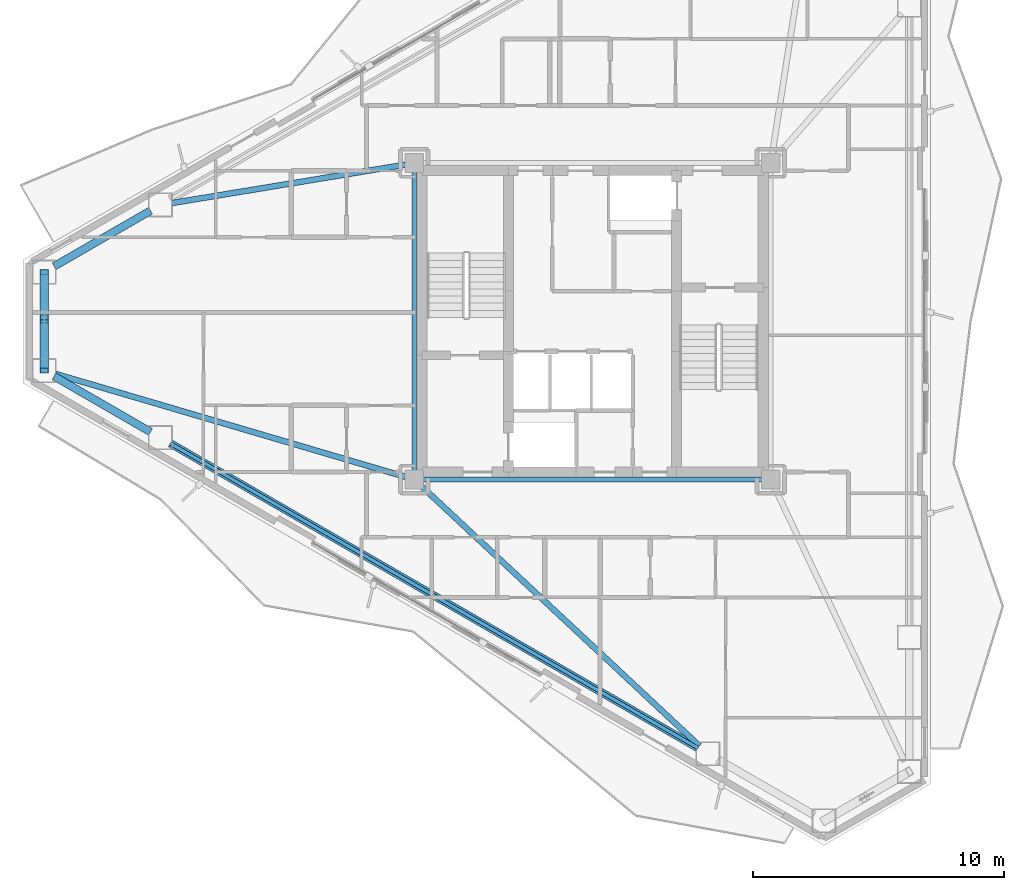
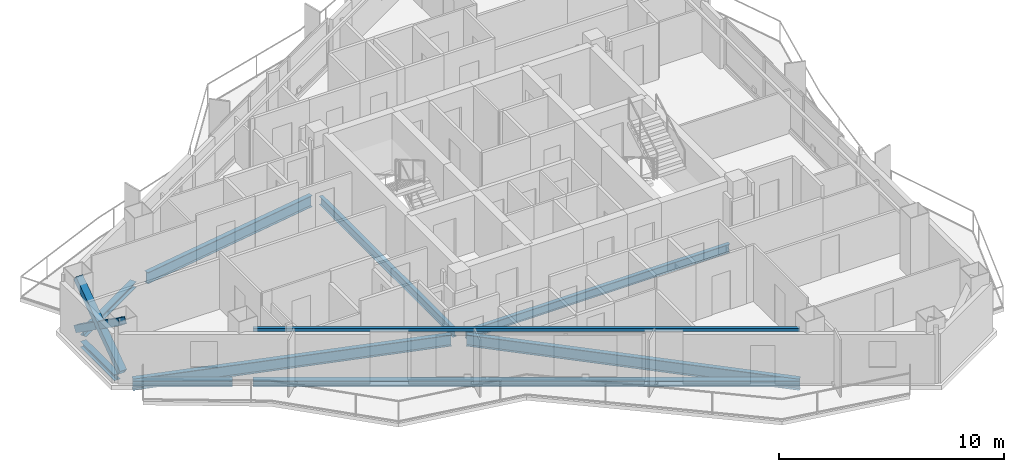
# One storey, part 4 of 19: 10 beams, 3 members.
"""IFC4 building model written with IfcOpenShell, lengths in metres."""

import ifcopenshell
import ifcopenshell.guid

model = None  # the IFC model being written
_history = None  # IfcOwnerHistory: only IFC2X3 demands one
_inside = {}  # id of a spatial element -> (the spatial element, [elements in it])
_under = {}  # id of a project, library or spatial element -> (it, [spatial elements below it])
_declared = {}  # id of a project -> (the project, [libraries it declares])
_typed = {}  # id of a type object -> (the type object, [elements of that type])
_made_of = {}  # id of a material, layer set ... -> (it, [elements and type objects made of it])


def new_model(schema):
    """Start an empty IFC model of exactly this schema.

    Asked for "IFC4X3", IfcOpenShell would pick the latest addendum, in which some entities
    have other attributes; the version numbers below select the first issue.
    IFC2X3 requires an IfcOwnerHistory on every rooted entity: one is made here for all.
    """
    global model, _history
    if schema == "IFC4X3":
        model = ifcopenshell.file(schema_version=(4, 3, 0, 0))
    else:
        model = ifcopenshell.file(schema=schema)
    _inside.clear()
    _under.clear()
    _declared.clear()
    _typed.clear()
    _made_of.clear()
    _history = None
    if model.schema == "IFC2X3":
        org = make("IfcOrganization", Name="unknown")
        user = make(
            "IfcPersonAndOrganization",
            ThePerson=make("IfcPerson", FamilyName="unknown"),
            TheOrganization=org,
        )
        app = make(
            "IfcApplication",
            ApplicationDeveloper=org,
            Version="unknown",
            ApplicationFullName="unknown",
            ApplicationIdentifier="unknown",
        )
        _history = make(
            "IfcOwnerHistory",
            OwningUser=user,
            OwningApplication=app,
            ChangeAction="ADDED",
            CreationDate=0,
        )
    return model


def make(cls, **values):
    """One entity of the class cls with the attributes given. An attribute that is None is left unset."""
    return model.create_entity(
        cls, **{name: value for name, value in values.items() if value is not None}
    )


def rooted(cls, **values):
    """An entity with a GlobalId (a new one), such as an element, a storey or a relation."""
    return make(cls, GlobalId=ifcopenshell.guid.new(), OwnerHistory=_history, **values)


def si_unit(unit_type, name, prefix=None):
    """IfcSIUnit, for example si_unit("LENGTHUNIT", "METRE", prefix="MILLI")."""
    return make("IfcSIUnit", UnitType=unit_type, Prefix=prefix, Name=name)


def assignment(units):
    """IfcUnitAssignment: the units of a project."""
    return None if units is None else make("IfcUnitAssignment", Units=units)


def point(xyz):
    """IfcCartesianPoint."""
    return None if xyz is None else make("IfcCartesianPoint", Coordinates=xyz)


def direction(xyz):
    """IfcDirection."""
    return None if xyz is None else make("IfcDirection", DirectionRatios=xyz)


def frame(location, z_axis=None, x_axis=None):
    """IfcAxis2Placement3D, a coordinate frame: its origin and axes. An axis left out is left unset."""
    return make(
        "IfcAxis2Placement3D",
        Location=point(location),
        Axis=direction(z_axis),
        RefDirection=direction(x_axis),
    )


def frame_2d(location, x_axis=None):
    """IfcAxis2Placement2D, a coordinate frame in the plane: its origin and x axis."""
    return make(
        "IfcAxis2Placement2D", Location=point(location), RefDirection=direction(x_axis)
    )


def origin():
    """The frame at (0, 0, 0) with its axes left unset."""
    return frame((0.0, 0.0, 0.0))


def origin_2d():
    """The frame at (0, 0) in the plane with its x axis left unset."""
    return frame_2d((0.0, 0.0))


def place(relative_to, where):
    """IfcLocalPlacement: puts the frame where relative to a parent placement (None: the world)."""
    return make(
        "IfcLocalPlacement", PlacementRelTo=relative_to, RelativePlacement=where
    )


def context(
    kind, dimensions, precision=None, world=None, true_north=None, identifier=None
):
    """IfcGeometricRepresentationContext, for example the 3D "Model" context."""
    return make(
        "IfcGeometricRepresentationContext",
        ContextIdentifier=identifier,
        ContextType=kind,
        CoordinateSpaceDimension=dimensions,
        Precision=precision,
        WorldCoordinateSystem=world,
        TrueNorth=true_north,
    )


def subcontext(parent, identifier, kind, view, scale=None):
    """IfcGeometricRepresentationSubContext, for example "Body" below "Model"."""
    return make(
        "IfcGeometricRepresentationSubContext",
        ContextIdentifier=identifier,
        ContextType=kind,
        ParentContext=parent,
        TargetScale=scale,
        TargetView=view,
    )


def project(units=None, contexts=None):
    """IfcProject with its units and contexts."""
    return rooted(
        "IfcProject",
        Name="project",
        RepresentationContexts=contexts,
        UnitsInContext=assignment(units),
    )


def spatial(cls, under=None, at=None, **own):
    """A site, building, storey or space (cls), placed at a placement, below another one or the project."""
    s = rooted(cls, ObjectPlacement=at, **own)
    if under is not None:
        _under.setdefault(under.id(), (under, []))[1].append(s)
    return s


def profile(cls, at=None, kind="AREA", **sizes):
    """A parametric profile (cls). Its sizes go by their IFC names, for example OverallWidth=200.0."""
    return make(cls, ProfileType=kind, Position=at, **sizes)


def hollow_rectangle(**sizes):
    """IfcRectangleHollowProfileDef."""
    return profile("IfcRectangleHollowProfileDef", **sizes)


def i_section(**sizes):
    """IfcIShapeProfileDef."""
    return profile("IfcIShapeProfileDef", **sizes)


def extrude(swept, where, along, depth):
    """IfcExtrudedAreaSolid: the profile swept, set in the frame where, extruded along a direction by depth."""
    return make(
        "IfcExtrudedAreaSolid",
        SweptArea=swept,
        Position=where,
        ExtrudedDirection=direction(along),
        Depth=depth,
    )


def shape(context_of_items, identifier, shape_type, items):
    """IfcShapeRepresentation: the items that make up one representation, for example the "Body"."""
    return make(
        "IfcShapeRepresentation",
        ContextOfItems=context_of_items,
        RepresentationIdentifier=identifier,
        RepresentationType=shape_type,
        Items=items,
    )


def material(Name=None, Category=None):
    """IfcMaterial."""
    return make("IfcMaterial", Name=Name, Category=Category)


def material_profile(
    of_material, cross_section, Name=None, Category=None, Priority=None
):
    """IfcMaterialProfile: a cross section and its material."""
    return make(
        "IfcMaterialProfile",
        Name=Name,
        Material=of_material,
        Profile=cross_section,
        Priority=Priority,
        Category=Category,
    )


def profile_set(profiles, Name=None, composite=None):
    """IfcMaterialProfileSet."""
    return make(
        "IfcMaterialProfileSet",
        Name=Name,
        MaterialProfiles=profiles,
        CompositeProfile=composite,
    )


def made_of(thing, what):
    """Note that an element or type object is made of a material, layer set ...; save() writes the relation."""
    if what is not None:
        _made_of.setdefault(what.id(), (what, []))[1].append(thing)
    return thing


def type_object(cls, material=None, **own):
    """A type object (cls), such as IfcWallType, which elements share."""
    return made_of(rooted(cls, **own), material)


def element(
    cls,
    number,
    at=None,
    inside=None,
    cuts=None,
    type_object=None,
    material=None,
    context=None,
    identifier="Body",
    shape_type=None,
    held_by="IfcProductDefinitionShape",
    body=None,
    shapes=None,
    **own,
):
    """One element of the class cls, such as IfcWall. Its Tag is "e" and its number.

    at: its placement. inside: the storey or other place that contains it. cuts: it is an
    opening in that element (IfcRelVoidsElement). A single representation is given by context,
    identifier, shape_type and body (its items); several are given by shapes. held_by: the class
    of the entity that holds the representations. save() writes the other relations.
    """
    e = rooted(cls, Tag="e%d" % number, ObjectPlacement=at, **own)
    if body is not None:
        shapes = [shape(context, identifier, shape_type, body)]
    if shapes is not None:
        e.Representation = make(held_by, Representations=shapes)
    if inside is not None:
        _inside.setdefault(inside.id(), (inside, []))[1].append(e)
    if cuts is not None:
        rooted(
            "IfcRelVoidsElement", RelatingBuildingElement=cuts, RelatedOpeningElement=e
        )
    if type_object is not None:
        _typed.setdefault(type_object.id(), (type_object, []))[1].append(e)
    return made_of(e, material)


def aggregate(whole, parts):
    """IfcRelAggregates: a whole, such as a stair, and the parts it consists of."""
    return rooted("IfcRelAggregates", RelatingObject=whole, RelatedObjects=parts)


def save(model, path):
    """Write the relations noted so far, then the file.

    IfcRelAggregates (storeys below a building ...), IfcRelContainedInSpatialStructure (elements
    in a storey), IfcRelDefinesByType, IfcRelAssociatesMaterial and IfcRelDeclares: one each for
    every whole, place, type object, material and project.
    """
    for whole, parts in _under.values():
        aggregate(whole, parts)
    for where, things in _inside.values():
        rooted(
            "IfcRelContainedInSpatialStructure",
            RelatedElements=things,
            RelatingStructure=where,
        )
    for kind, things in _typed.values():
        rooted("IfcRelDefinesByType", RelatedObjects=things, RelatingType=kind)
    for what, things in _made_of.values():
        rooted("IfcRelAssociatesMaterial", RelatedObjects=things, RelatingMaterial=what)
    for by, libraries in _declared.values():
        rooted("IfcRelDeclares", RelatingContext=by, RelatedDefinitions=libraries)
    model.write(path)


model = new_model("IFC4")

# Units and contexts
model_context = context("Model", 3, precision=1e-05, world=origin(), true_north=direction((0.0, 1.0)))
body_context = subcontext(model_context, "Body", "Model", "MODEL_VIEW")
ifc_project = project(units=[si_unit("LENGTHUNIT", "METRE"), si_unit("AREAUNIT", "SQUARE_METRE"), si_unit("VOLUMEUNIT", "CUBIC_METRE"), si_unit("PLANEANGLEUNIT", "RADIAN"), si_unit("MASSUNIT", "GRAM", prefix="KILO")], contexts=[model_context])

# Site, building, storey
site_placement = place(None, origin())
site = spatial("IfcSite", under=ifc_project, at=site_placement, CompositionType="ELEMENT")
building_placement = place(site_placement, origin())
building = spatial("IfcBuilding", under=site, at=building_placement, Name="Mersakhor Tower and Convention Hall", CompositionType="ELEMENT")
storey_placement = place(building_placement, frame((0.0, 0.0, 147.60009765625)))
storey = spatial("IfcBuildingStorey", under=building, at=storey_placement, Name="L41", CompositionType="ELEMENT", Elevation=147.60009765625)

# Beams
ifc_material_1 = material(Name="Steel S355", Category="steel")
ifc_material_profile_1 = material_profile(ifc_material_1, i_section(OverallWidth=0.19140625, OverallDepth=0.4599609375, WebThickness=0.010009765625, FlangeThickness=0.01611328125, at=origin_2d()), Name="UB 457x191x82")
ifc_profile_set_1 = profile_set([ifc_material_profile_1], Name="Steel S355")
beam_type_1 = type_object("IfcBeamType", Name="BM-FB-457", PredefinedType="BEAM", material=ifc_profile_set_1)
beam_1_placement = place(storey_placement, frame((21.89990234375, 20.804931640625, -0.47021484375), z_axis=(0.0, 1.0, 0.0), x_axis=(-1.0, 0.0, 0.0)))
element("IfcBeam", 1, at=beam_1_placement, inside=storey, type_object=beam_type_1, Name="L41 Core Ring Tie Beam CRB-1", PredefinedType="BEAM", context=body_context, shape_type="SweptSolid", body=[
    extrude(i_section(OverallWidth=0.19140625, OverallDepth=0.4599609375, WebThickness=0.010009765625, FlangeThickness=0.01611328125, at=origin_2d()), origin(), (0.0, 0.0, 1.0), 11.89013671875),
])
beam_2_placement = place(storey_placement, frame((35.7451171875, 20.449951171875, -0.47021484375), z_axis=(-1.0, 0.0, 0.0), x_axis=(0.0, -1.0, 0.0)))
element("IfcBeam", 2, at=beam_2_placement, inside=storey, type_object=beam_type_1, Name="L41 Core Ring Tie Beam CRB-4", PredefinedType="BEAM", context=body_context, shape_type="SweptSolid", body=[
    extrude(i_section(OverallWidth=0.19140625, OverallDepth=0.4599609375, WebThickness=0.010009765625, FlangeThickness=0.01611328125, at=origin_2d()), origin(), (0.0, 0.0, 1.0), 13.490234375),
])
ifc_material_2 = material(Name="Steel S355", Category="steel")
ifc_material_profile_2 = material_profile(ifc_material_2, hollow_rectangle(XDim=0.14990234375, YDim=0.14990234375, WallThickness=0.010009765625, at=origin_2d()), Name="SHS 150x150x10")
ifc_profile_set_2 = profile_set([ifc_material_profile_2], Name="Steel S355")
beam_type_2 = type_object("IfcBeamType", Name="BM-GRT-SHS150", PredefinedType="USERDEFINED", material=ifc_profile_set_2)
beam_3_placement = place(storey_placement, frame((33.198486328125, 9.754638671875, 2.47998046875), z_axis=(-0.866027433267, 0.499996484816, 0.0), x_axis=(-0.499996484816, -0.866027433267, 0.0)))
element("IfcBeam", 3, at=beam_3_placement, inside=storey, type_object=beam_type_2, Name="L41 Facade Support Girt GRT-F3", ObjectType="GIRT", PredefinedType="USERDEFINED", context=body_context, shape_type="SweptSolid", body=[
    extrude(hollow_rectangle(XDim=0.14990234375, YDim=0.14990234375, WallThickness=0.010009765625, at=origin_2d()), origin(), (0.0, 0.0, 1.0), 24.267333984375),
])
ifc_material_3 = material(Name="Steel S355", Category="steel")
ifc_material_profile_3 = material_profile(ifc_material_3, i_section(OverallWidth=0.22900390625, OverallDepth=0.6123046875, WebThickness=0.011962890625, FlangeThickness=0.01953125, at=origin_2d()), Name="UB 610x229x125")
ifc_profile_set_3 = profile_set([ifc_material_profile_3], Name="Steel S355")
beam_type_3 = type_object("IfcBeamType", Name="BM-PR-610", PredefinedType="BEAM", material=ifc_profile_set_3)
beam_4_placement = place(storey_placement, frame((21.5498046875, 32.9921875, -0.546142578125), z_axis=(-0.986703962282, -0.162527815515, 0.0), x_axis=(0.162527815515, -0.986703962282, 0.0)))
element("IfcBeam", 4, at=beam_4_placement, inside=storey, type_object=beam_type_3, Name="L41 Primary Floor Girder FG-1", PredefinedType="BEAM", context=body_context, shape_type="SweptSolid", body=[
    extrude(i_section(OverallWidth=0.22900390625, OverallDepth=0.6123046875, WebThickness=0.011962890625, FlangeThickness=0.01953125, at=origin_2d()), origin(), (0.0, 0.0, 1.0), 9.43798828125),
])
beam_5_placement = place(storey_placement, frame((22.159423828125, 20.207763671875, -0.546142578125), z_axis=(0.730740936679, -0.682654878736, 0.0), x_axis=(0.682654878736, 0.730740936679, 0.0)))
element("IfcBeam", 5, at=beam_5_placement, inside=storey, type_object=beam_type_3, Name="L41 Primary Floor Girder FG-5", PredefinedType="BEAM", context=body_context, shape_type="SweptSolid", body=[
    extrude(i_section(OverallWidth=0.22900390625, OverallDepth=0.6123046875, WebThickness=0.011962890625, FlangeThickness=0.01953125, at=origin_2d()), origin(), (0.0, 0.0, 1.0), 15.19091796875),
])
beam_6_placement = place(storey_placement, frame((21.559326171875, 20.55029296875, -0.546142578125), z_axis=(-0.959324090351, 0.282307083992, 0.0), x_axis=(-0.282307083992, -0.959324090351, 0.0)))
element("IfcBeam", 6, at=beam_6_placement, inside=storey, type_object=beam_type_3, Name="L41 Primary Floor Girder FG-6", PredefinedType="BEAM", context=body_context, shape_type="SweptSolid", body=[
    extrude(i_section(OverallWidth=0.22900390625, OverallDepth=0.6123046875, WebThickness=0.011962890625, FlangeThickness=0.01953125, at=origin_2d()), origin(), (0.0, 0.0, 1.0), 14.5546875),
])
ifc_material_4 = material(Name="Steel S355", Category="steel")
ifc_material_profile_4 = material_profile(ifc_material_4, i_section(OverallWidth=0.30908203125, OverallDepth=0.320556640625, WebThickness=0.013916015625, FlangeThickness=0.021728515625, at=origin_2d()), Name="UC 305x305x137")
ifc_profile_set_4 = profile_set([ifc_material_profile_4], Name="Steel S355")
beam_type_4 = type_object("IfcBeamType", Name="BM-SPD-UC305", PredefinedType="SPANDREL", material=ifc_profile_set_4)
beam_7_placement = place(storey_placement, frame((7.55419921875, 28.939697265625, -0.400390625), z_axis=(0.866028798401, 0.499994120305, 0.0), x_axis=(-0.499994120305, 0.866028798401, 0.0)))
element("IfcBeam", 7, at=beam_7_placement, inside=storey, type_object=beam_type_4, Name="L41 Perimeter Spandrel Beam SPB-01", PredefinedType="SPANDREL", context=body_context, shape_type="SweptSolid", body=[
    extrude(i_section(OverallWidth=0.30908203125, OverallDepth=0.320556640625, WebThickness=0.013916015625, FlangeThickness=0.021728515625, at=origin_2d()), origin(), (0.0, 0.0, 1.0), 4.43408203125),
])
beam_8_placement = place(storey_placement, frame((33.198486328125, 9.754638671875, -0.400390625), z_axis=(-0.866027433267, 0.499996484816, 0.0), x_axis=(-0.499996484816, -0.866027433267, 0.0)))
element("IfcBeam", 8, at=beam_8_placement, inside=storey, type_object=beam_type_4, Name="L41 Perimeter Spandrel Beam SPB-10", PredefinedType="SPANDREL", context=body_context, shape_type="SweptSolid", body=[
    extrude(i_section(OverallWidth=0.30908203125, OverallDepth=0.320556640625, WebThickness=0.013916015625, FlangeThickness=0.021728515625, at=origin_2d()), origin(), (0.0, 0.0, 1.0), 24.267333984375),
])
beam_9_placement = place(storey_placement, frame((11.394287109375, 22.34326171875, -0.400390625), z_axis=(-0.866028798401, 0.499994120305, 0.0), x_axis=(-0.499994120305, -0.866028798401, 0.0)))
element("IfcBeam", 9, at=beam_9_placement, inside=storey, type_object=beam_type_4, Name="L41 Perimeter Spandrel Beam SPB-11", PredefinedType="SPANDREL", context=body_context, shape_type="SweptSolid", body=[
    extrude(i_section(OverallWidth=0.30908203125, OverallDepth=0.320556640625, WebThickness=0.013916015625, FlangeThickness=0.021728515625, at=origin_2d()), origin(), (0.0, 0.0, 1.0), 4.43408203125),
])
beam_10_placement = place(storey_placement, frame((7.160400390625, 25.24267578125, -0.400390625), z_axis=(0.0, 1.0, 0.0), x_axis=(-1.0, 0.0, 0.0)))
element("IfcBeam", 10, at=beam_10_placement, inside=storey, type_object=beam_type_4, Name="L41 Perimeter Spandrel Beam SPB-12", PredefinedType="SPANDREL", context=body_context, shape_type="SweptSolid", body=[
    extrude(i_section(OverallWidth=0.30908203125, OverallDepth=0.320556640625, WebThickness=0.013916015625, FlangeThickness=0.021728515625, at=origin_2d()), origin(), (0.0, 0.0, 1.0), 3.0146484375),
])

# Members
ifc_material_5 = material(Name="Steel S460", Category="steel")
ifc_material_profile_5 = material_profile(ifc_material_5, hollow_rectangle(XDim=0.35009765625, YDim=0.35009765625, WallThickness=0.02001953125, at=origin_2d()), Name="SHS 350x350x20")
ifc_profile_set_5 = profile_set([ifc_material_profile_5], Name="Steel S460")
member_type = type_object("IfcMemberType", Name="MB-BRC-SHS350", PredefinedType="BRACE", material=ifc_profile_set_5)
member_placement = place(storey_placement, frame((7.160400390625, 24.78759765625, 0.14990234375), z_axis=(0.0, 0.817991748952, 0.575229952843), x_axis=(-1.0, 0.0, 0.0)))
element("IfcMember", 11, at=member_placement, inside=storey, type_object=member_type, Name="L41 Chamfer Braced Frame Diagonal CB-3A", PredefinedType="BRACE", context=body_context, shape_type="SweptSolid", body=[
    extrude(hollow_rectangle(XDim=0.35009765625, YDim=0.35009765625, WallThickness=0.02001953125, at=origin_2d()), origin(), (0.0, 0.0, 1.0), 4.798095703125),
])
for number, where, z_axis, x_axis, name in (
    (12, (7.160400390625, 28.71240234375, 0.14990234375), (0.0, -0.818012878097, 0.575199905483), (1.0, 0.0, 0.0), "L41 Chamfer Braced Frame Diagonal CB-3B Lower Half"),
    (13, (7.160400390625, 26.59130859375, 1.6416015625), (0.0, -0.818012878097, 0.575199905483), (1.0, 0.0, 0.0), "L41 Chamfer Braced Frame Diagonal CB-3B Upper Half"),
):
    element("IfcMember", number, at=place(storey_placement, frame(where, z_axis=z_axis, x_axis=x_axis)), inside=storey, type_object=member_type, Name=name, PredefinedType="BRACE", context=body_context, shape_type="SweptSolid", body=[
        extrude(hollow_rectangle(XDim=0.35009765625, YDim=0.35009765625, WallThickness=0.02001953125, at=origin_2d()), origin(), (0.0, 0.0, 1.0), 2.205078125),
    ])

save(model, "model.ifc")
